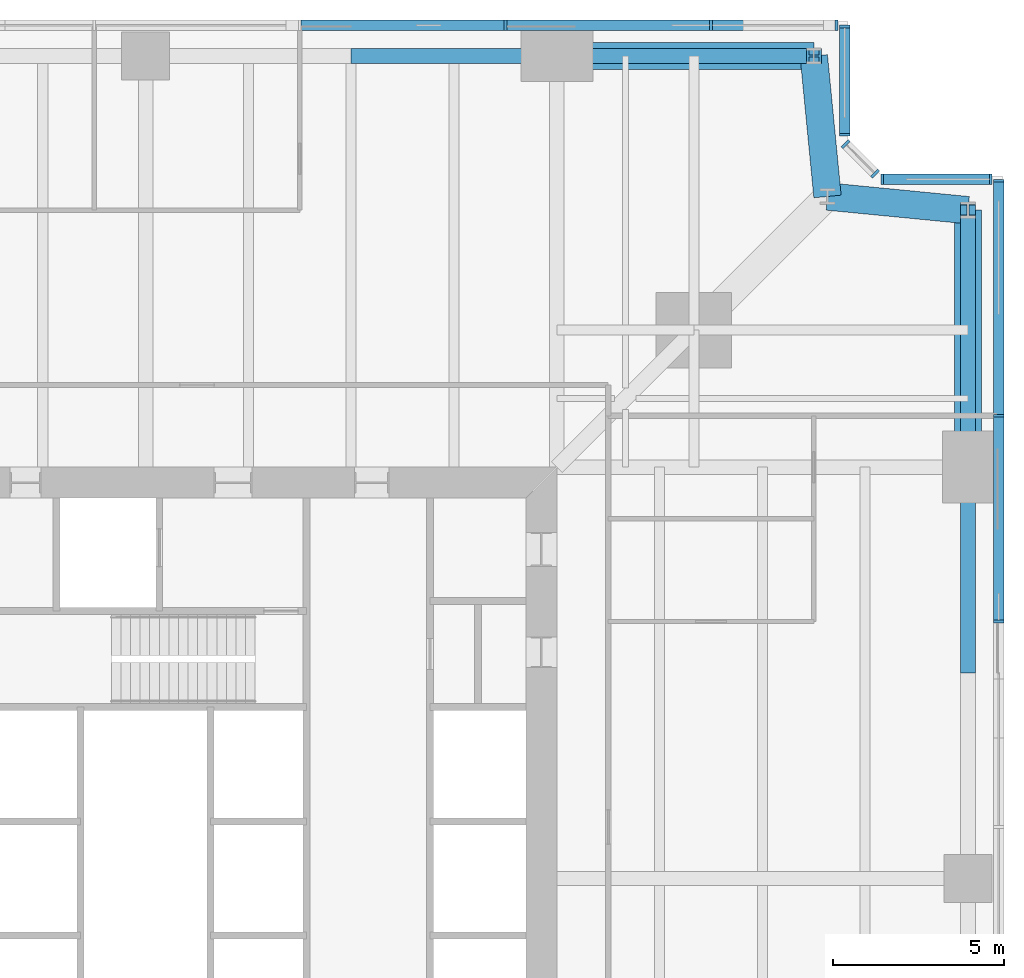
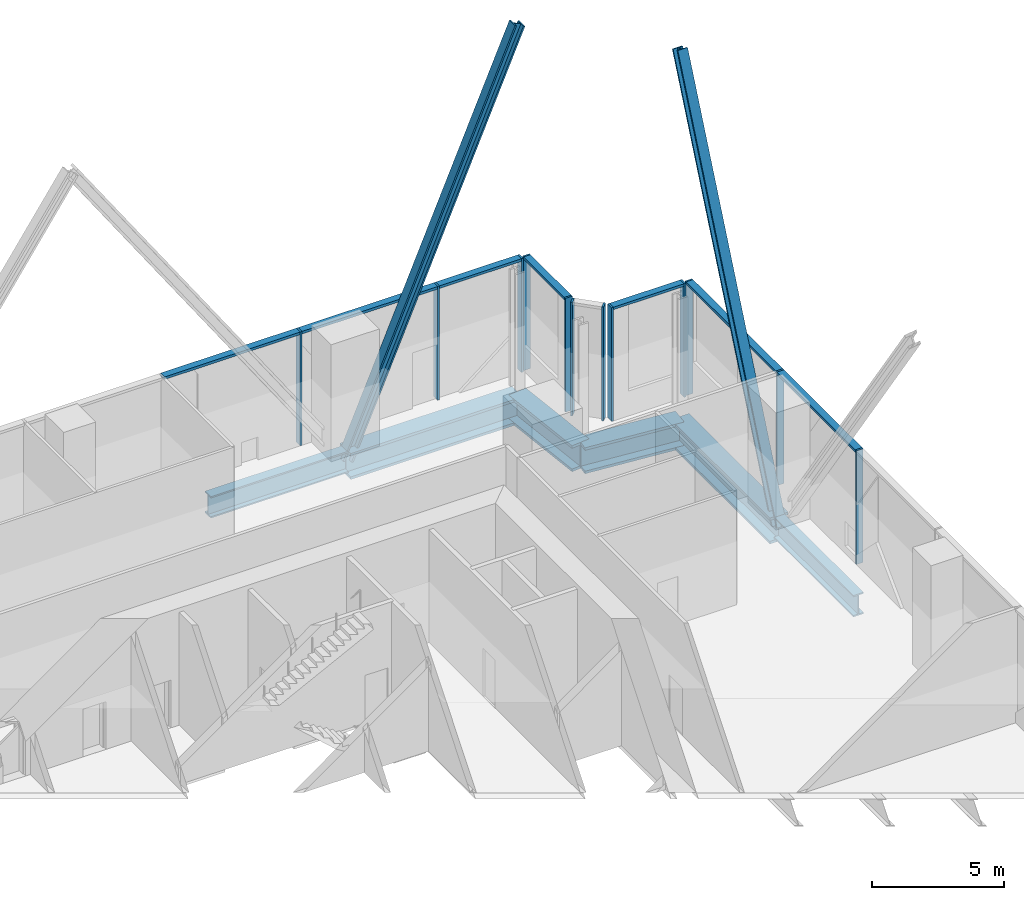
# One storey, part 5 of 13: 21 members, 6 beams, 5 elements without a shape of their own.
"""IFC4 building model written with IfcOpenShell, lengths in metres."""

import ifcopenshell
import ifcopenshell.guid

model = None  # the IFC model being written
_history = None  # IfcOwnerHistory: only IFC2X3 demands one
_inside = {}  # id of a spatial element -> (the spatial element, [elements in it])
_under = {}  # id of a project, library or spatial element -> (it, [spatial elements below it])
_declared = {}  # id of a project -> (the project, [libraries it declares])
_typed = {}  # id of a type object -> (the type object, [elements of that type])
_made_of = {}  # id of a material, layer set ... -> (it, [elements and type objects made of it])


def new_model(schema):
    """Start an empty IFC model of exactly this schema.

    Asked for "IFC4X3", IfcOpenShell would pick the latest addendum, in which some entities
    have other attributes; the version numbers below select the first issue.
    IFC2X3 requires an IfcOwnerHistory on every rooted entity: one is made here for all.
    """
    global model, _history
    if schema == "IFC4X3":
        model = ifcopenshell.file(schema_version=(4, 3, 0, 0))
    else:
        model = ifcopenshell.file(schema=schema)
    _inside.clear()
    _under.clear()
    _declared.clear()
    _typed.clear()
    _made_of.clear()
    _history = None
    if model.schema == "IFC2X3":
        org = make("IfcOrganization", Name="unknown")
        user = make(
            "IfcPersonAndOrganization",
            ThePerson=make("IfcPerson", FamilyName="unknown"),
            TheOrganization=org,
        )
        app = make(
            "IfcApplication",
            ApplicationDeveloper=org,
            Version="unknown",
            ApplicationFullName="unknown",
            ApplicationIdentifier="unknown",
        )
        _history = make(
            "IfcOwnerHistory",
            OwningUser=user,
            OwningApplication=app,
            ChangeAction="ADDED",
            CreationDate=0,
        )
    return model


def make(cls, **values):
    """One entity of the class cls with the attributes given. An attribute that is None is left unset."""
    return model.create_entity(
        cls, **{name: value for name, value in values.items() if value is not None}
    )


def rooted(cls, **values):
    """An entity with a GlobalId (a new one), such as an element, a storey or a relation."""
    return make(cls, GlobalId=ifcopenshell.guid.new(), OwnerHistory=_history, **values)


def si_unit(unit_type, name, prefix=None):
    """IfcSIUnit, for example si_unit("LENGTHUNIT", "METRE", prefix="MILLI")."""
    return make("IfcSIUnit", UnitType=unit_type, Prefix=prefix, Name=name)


def assignment(units):
    """IfcUnitAssignment: the units of a project."""
    return None if units is None else make("IfcUnitAssignment", Units=units)


def point(xyz):
    """IfcCartesianPoint."""
    return None if xyz is None else make("IfcCartesianPoint", Coordinates=xyz)


def direction(xyz):
    """IfcDirection."""
    return None if xyz is None else make("IfcDirection", DirectionRatios=xyz)


def frame(location, z_axis=None, x_axis=None):
    """IfcAxis2Placement3D, a coordinate frame: its origin and axes. An axis left out is left unset."""
    return make(
        "IfcAxis2Placement3D",
        Location=point(location),
        Axis=direction(z_axis),
        RefDirection=direction(x_axis),
    )


def frame_2d(location, x_axis=None):
    """IfcAxis2Placement2D, a coordinate frame in the plane: its origin and x axis."""
    return make(
        "IfcAxis2Placement2D", Location=point(location), RefDirection=direction(x_axis)
    )


def origin():
    """The frame at (0, 0, 0) with its axes left unset."""
    return frame((0.0, 0.0, 0.0))


def origin_2d():
    """The frame at (0, 0) in the plane with its x axis left unset."""
    return frame_2d((0.0, 0.0))


def place(relative_to, where):
    """IfcLocalPlacement: puts the frame where relative to a parent placement (None: the world)."""
    return make(
        "IfcLocalPlacement", PlacementRelTo=relative_to, RelativePlacement=where
    )


def context(
    kind, dimensions, precision=None, world=None, true_north=None, identifier=None
):
    """IfcGeometricRepresentationContext, for example the 3D "Model" context."""
    return make(
        "IfcGeometricRepresentationContext",
        ContextIdentifier=identifier,
        ContextType=kind,
        CoordinateSpaceDimension=dimensions,
        Precision=precision,
        WorldCoordinateSystem=world,
        TrueNorth=true_north,
    )


def subcontext(parent, identifier, kind, view, scale=None):
    """IfcGeometricRepresentationSubContext, for example "Body" below "Model"."""
    return make(
        "IfcGeometricRepresentationSubContext",
        ContextIdentifier=identifier,
        ContextType=kind,
        ParentContext=parent,
        TargetScale=scale,
        TargetView=view,
    )


def project(units=None, contexts=None):
    """IfcProject with its units and contexts."""
    return rooted(
        "IfcProject",
        Name="project",
        RepresentationContexts=contexts,
        UnitsInContext=assignment(units),
    )


def spatial(cls, under=None, at=None, **own):
    """A site, building, storey or space (cls), placed at a placement, below another one or the project."""
    s = rooted(cls, ObjectPlacement=at, **own)
    if under is not None:
        _under.setdefault(under.id(), (under, []))[1].append(s)
    return s


def profile(cls, at=None, kind="AREA", **sizes):
    """A parametric profile (cls). Its sizes go by their IFC names, for example OverallWidth=200.0."""
    return make(cls, ProfileType=kind, Position=at, **sizes)


def rectangle(**sizes):
    """IfcRectangleProfileDef."""
    return profile("IfcRectangleProfileDef", **sizes)


def i_section(**sizes):
    """IfcIShapeProfileDef."""
    return profile("IfcIShapeProfileDef", **sizes)


def extrude(swept, where, along, depth):
    """IfcExtrudedAreaSolid: the profile swept, set in the frame where, extruded along a direction by depth."""
    return make(
        "IfcExtrudedAreaSolid",
        SweptArea=swept,
        Position=where,
        ExtrudedDirection=direction(along),
        Depth=depth,
    )


def shape(context_of_items, identifier, shape_type, items):
    """IfcShapeRepresentation: the items that make up one representation, for example the "Body"."""
    return make(
        "IfcShapeRepresentation",
        ContextOfItems=context_of_items,
        RepresentationIdentifier=identifier,
        RepresentationType=shape_type,
        Items=items,
    )


def material(Name=None, Category=None):
    """IfcMaterial."""
    return make("IfcMaterial", Name=Name, Category=Category)


def material_profile(
    of_material, cross_section, Name=None, Category=None, Priority=None
):
    """IfcMaterialProfile: a cross section and its material."""
    return make(
        "IfcMaterialProfile",
        Name=Name,
        Material=of_material,
        Profile=cross_section,
        Priority=Priority,
        Category=Category,
    )


def profile_set(profiles, Name=None, composite=None):
    """IfcMaterialProfileSet."""
    return make(
        "IfcMaterialProfileSet",
        Name=Name,
        MaterialProfiles=profiles,
        CompositeProfile=composite,
    )


def made_of(thing, what):
    """Note that an element or type object is made of a material, layer set ...; save() writes the relation."""
    if what is not None:
        _made_of.setdefault(what.id(), (what, []))[1].append(thing)
    return thing


def type_object(cls, material=None, **own):
    """A type object (cls), such as IfcWallType, which elements share."""
    return made_of(rooted(cls, **own), material)


def element(
    cls,
    number,
    at=None,
    inside=None,
    cuts=None,
    type_object=None,
    material=None,
    context=None,
    identifier="Body",
    shape_type=None,
    held_by="IfcProductDefinitionShape",
    body=None,
    shapes=None,
    **own,
):
    """One element of the class cls, such as IfcWall. Its Tag is "e" and its number.

    at: its placement. inside: the storey or other place that contains it. cuts: it is an
    opening in that element (IfcRelVoidsElement). A single representation is given by context,
    identifier, shape_type and body (its items); several are given by shapes. held_by: the class
    of the entity that holds the representations. save() writes the other relations.
    """
    e = rooted(cls, Tag="e%d" % number, ObjectPlacement=at, **own)
    if body is not None:
        shapes = [shape(context, identifier, shape_type, body)]
    if shapes is not None:
        e.Representation = make(held_by, Representations=shapes)
    if inside is not None:
        _inside.setdefault(inside.id(), (inside, []))[1].append(e)
    if cuts is not None:
        rooted(
            "IfcRelVoidsElement", RelatingBuildingElement=cuts, RelatedOpeningElement=e
        )
    if type_object is not None:
        _typed.setdefault(type_object.id(), (type_object, []))[1].append(e)
    return made_of(e, material)


def aggregate(whole, parts):
    """IfcRelAggregates: a whole, such as a stair, and the parts it consists of."""
    return rooted("IfcRelAggregates", RelatingObject=whole, RelatedObjects=parts)


def save(model, path):
    """Write the relations noted so far, then the file.

    IfcRelAggregates (storeys below a building ...), IfcRelContainedInSpatialStructure (elements
    in a storey), IfcRelDefinesByType, IfcRelAssociatesMaterial and IfcRelDeclares: one each for
    every whole, place, type object, material and project.
    """
    for whole, parts in _under.values():
        aggregate(whole, parts)
    for where, things in _inside.values():
        rooted(
            "IfcRelContainedInSpatialStructure",
            RelatedElements=things,
            RelatingStructure=where,
        )
    for kind, things in _typed.values():
        rooted("IfcRelDefinesByType", RelatedObjects=things, RelatingType=kind)
    for what, things in _made_of.values():
        rooted("IfcRelAssociatesMaterial", RelatedObjects=things, RelatingMaterial=what)
    for by, libraries in _declared.values():
        rooted("IfcRelDeclares", RelatingContext=by, RelatedDefinitions=libraries)
    model.write(path)


model = new_model("IFC4")

# Units and contexts
model_context = context("Model", 3, precision=1e-05, world=origin(), true_north=direction((0.0, 1.0)))
body_context = subcontext(model_context, "Body", "Model", "MODEL_VIEW")
ifc_project = project(units=[si_unit("LENGTHUNIT", "METRE"), si_unit("AREAUNIT", "SQUARE_METRE"), si_unit("VOLUMEUNIT", "CUBIC_METRE"), si_unit("PLANEANGLEUNIT", "RADIAN"), si_unit("MASSUNIT", "GRAM", prefix="KILO")], contexts=[model_context])

# Site, building, storey
site_placement = place(None, origin())
site = spatial("IfcSite", under=ifc_project, at=site_placement, CompositionType="ELEMENT")
building_placement = place(site_placement, origin())
building = spatial("IfcBuilding", under=site, at=building_placement, Name="Fenwick Lantern Interchange", CompositionType="ELEMENT")
storey_placement = place(building_placement, frame((0.0, 0.0, 97.0)))
storey = spatial("IfcBuildingStorey", under=building, at=storey_placement, Name="L22", CompositionType="ELEMENT", Elevation=97.0)

# Members
ifc_material_1 = material(Name="Steel ASTM A992 Grade 50", Category="steel")
ifc_material_profile_1 = material_profile(ifc_material_1, i_section(OverallWidth=0.424072265625, OverallDepth=0.47509765625, WebThickness=0.0478515625, FlangeThickness=0.0771484375, at=origin_2d()), Name="W14X426")
ifc_profile_set_1 = profile_set([ifc_material_profile_1], Name="Steel ASTM A992 Grade 50")
member_type_1 = type_object("IfcMemberType", Name="FACADE BRACE W14X426", PredefinedType="BRACE", material=ifc_profile_set_1)
for number, where, z_axis, x_axis, name in (
    (1, (49.0, 37.0, -0.696533203125), (0.0, 0.394095795697, 0.919069368336), (-1.0, 0.0, 0.0), "L22/FB/E/BE"),
    (2, (37.0, 49.0, -0.696533203125), (0.394095795697, 0.0, 0.919069368336), (0.0, 1.0, 0.0), "L22/FB/N/AE"),
):
    element("IfcMember", number, at=place(storey_placement, frame(where, z_axis=z_axis, x_axis=x_axis)), inside=storey, type_object=member_type_1, Name=name, PredefinedType="BRACE", context=body_context, shape_type="SweptSolid", body=[
        extrude(i_section(OverallWidth=0.424072265625, OverallDepth=0.47509765625, WebThickness=0.0478515625, FlangeThickness=0.0771484375, at=origin_2d()), origin(), (0.0, 0.0, 1.0), 19.031005859375),
    ])

# Beams
ifc_material_2 = material(Name="Steel ASTM A572 Grade 42", Category="steel")
ifc_material_profile_2 = material_profile(ifc_material_2, i_section(OverallWidth=0.800048828125, OverallDepth=1.199951171875, WebThickness=0.06005859375, FlangeThickness=0.1201171875, at=origin_2d()), Name="BU1200X800")
ifc_profile_set_2 = profile_set([ifc_material_profile_2], Name="Steel ASTM A572 Grade 42")
beam_type_1 = type_object("IfcBeamType", Name="MOMENT-CONNECTED TRANSFER GIRDER BU1200X800", PredefinedType="BEAM", material=ifc_profile_set_2)
beam_1_placement = place(storey_placement, frame((49.0, 37.0, -0.800048828125), z_axis=(0.0, 1.0, 0.0), x_axis=(-1.0, 0.0, 0.0)))
element("IfcBeam", 3, at=beam_1_placement, inside=storey, type_object=beam_type_1, Name="L22/FR/E/EB6", PredefinedType="BEAM", context=body_context, shape_type="SweptSolid", body=[
    extrude(i_section(OverallWidth=0.800048828125, OverallDepth=1.199951171875, WebThickness=0.06005859375, FlangeThickness=0.1201171875, at=origin_2d()), origin(), (0.0, 0.0, 1.0), 7.5),
])
for number, where, z_axis, x_axis, name in (
    (4, (49.0, 44.5, -0.800048828125), (-0.995277148028, 0.097074191287, 0.0), (-0.097074191287, -0.995277148028, 0.0), "L22/FR/E/EBR1"),
    (5, (44.89990234375, 44.89990234375, -0.800048828125), (-0.097074191287, 0.995277148028, 0.0), (-0.995277148028, -0.097074191287, 0.0), "L22/FR/E/EBR2"),
):
    element("IfcBeam", number, at=place(storey_placement, frame(where, z_axis=z_axis, x_axis=x_axis)), inside=storey, type_object=beam_type_1, Name=name, PredefinedType="BEAM", context=body_context, shape_type="SweptSolid", body=[
        extrude(i_section(OverallWidth=0.800048828125, OverallDepth=1.199951171875, WebThickness=0.06005859375, FlangeThickness=0.1201171875, at=origin_2d()), origin(), (0.0, 0.0, 1.0), 4.11962890625),
    ])
beam_2_placement = place(storey_placement, frame((44.5, 49.0, -0.800048828125), z_axis=(-1.0, 0.0, 0.0), x_axis=(0.0, -1.0, 0.0)))
element("IfcBeam", 6, at=beam_2_placement, inside=storey, type_object=beam_type_1, Name="L22/FR/N/EB1", PredefinedType="BEAM", context=body_context, shape_type="SweptSolid", body=[
    extrude(i_section(OverallWidth=0.800048828125, OverallDepth=1.199951171875, WebThickness=0.06005859375, FlangeThickness=0.1201171875, at=origin_2d()), origin(), (0.0, 0.0, 1.0), 7.5),
])

# Curtain wall, members
ifc_material_3 = material(Name="Aluminium curtain wall frame", Category="aluminium")
curtain_wall_type = type_object("IfcCurtainWallType", Name="SKY LOBBY GLAZING", PredefinedType="USERDEFINED", material=ifc_material_3)
curtain_wall_1_placement = place(storey_placement, origin())
curtain_wall_1 = element("IfcCurtainWall", 7, at=curtain_wall_1_placement, inside=storey, type_object=curtain_wall_type, Name="Sky lobby glazing 05", ObjectType="SKY LOBBY GLAZING", PredefinedType="USERDEFINED")
ifc_material_4 = material(Name="Aluminium extrusion", Category="aluminium")
ifc_material_profile_3 = material_profile(ifc_material_4, rectangle(XDim=0.300048828125, YDim=0.080078125, at=origin_2d()), Name="SKY LOBBY GLAZING MULLION 80 X 300")
ifc_profile_set_3 = profile_set([ifc_material_profile_3], Name="Aluminium extrusion")
member_type_2 = type_object("IfcMemberType", Name="SKY LOBBY GLAZING MULLION 80 X 300", PredefinedType="MULLION", material=ifc_profile_set_3)
member_1_placement = place(storey_placement, frame((49.89990234375, 32.5, 0.0), z_axis=(0.0, 0.0, 1.0), x_axis=(-1.0, 0.0, 0.0)))
member_1 = element("IfcMember", 8, at=member_1_placement, type_object=member_type_2, Name="L22/CW/05/M05", PredefinedType="MULLION", context=body_context, shape_type="SweptSolid", body=[
    extrude(rectangle(XDim=0.300048828125, YDim=0.080078125, at=origin_2d()), origin(), (0.0, 0.0, 1.0), 5.25),
])
member_2_placement = place(storey_placement, frame((49.89990234375, 38.5, 0.0), z_axis=(0.0, 0.0, 1.0), x_axis=(-1.0, 0.0, 0.0)))
member_2 = element("IfcMember", 9, at=member_2_placement, type_object=member_type_2, Name="L22/CW/05/M06", PredefinedType="MULLION", context=body_context, shape_type="SweptSolid", body=[
    extrude(rectangle(XDim=0.300048828125, YDim=0.080078125, at=origin_2d()), origin(), (0.0, 0.0, 1.0), 5.25),
])
member_3_placement = place(storey_placement, frame((49.89990234375, 45.360107421875, 0.0), z_axis=(0.0, 0.0, 1.0), x_axis=(-1.0, 0.0, 0.0)))
member_3 = element("IfcMember", 10, at=member_3_placement, type_object=member_type_2, Name="L22/CW/05/M07", PredefinedType="MULLION", context=body_context, shape_type="SweptSolid", body=[
    extrude(rectangle(XDim=0.300048828125, YDim=0.080078125, at=origin_2d()), origin(), (0.0, 0.0, 1.0), 5.25),
])

curtain_wall_2_placement = place(storey_placement, origin())
curtain_wall_2 = element("IfcCurtainWall", 11, at=curtain_wall_2_placement, inside=storey, type_object=curtain_wall_type, Name="Sky lobby glazing 06", ObjectType="SKY LOBBY GLAZING", PredefinedType="USERDEFINED")
member_4_placement = place(storey_placement, frame((49.659912109375, 45.39990234375, 0.0), z_axis=(0.0, 0.0, 1.0), x_axis=(0.0, -1.0, 0.0)))
member_4 = element("IfcMember", 12, at=member_4_placement, type_object=member_type_2, Name="L22/CW/06/M00", PredefinedType="MULLION", context=body_context, shape_type="SweptSolid", body=[
    extrude(rectangle(XDim=0.300048828125, YDim=0.080078125, at=origin_2d()), origin(), (0.0, 0.0, 1.0), 5.25),
])
member_5_placement = place(storey_placement, frame((46.49853515625, 45.39990234375, 0.0), z_axis=(0.0, 0.0, 1.0), x_axis=(0.0, -1.0, 0.0)))
member_5 = element("IfcMember", 13, at=member_5_placement, type_object=member_type_2, Name="L22/CW/06/M01", PredefinedType="MULLION", context=body_context, shape_type="SweptSolid", body=[
    extrude(rectangle(XDim=0.300048828125, YDim=0.080078125, at=origin_2d()), origin(), (0.0, 0.0, 1.0), 5.25),
])

curtain_wall_3_placement = place(storey_placement, origin())
curtain_wall_3 = element("IfcCurtainWall", 14, at=curtain_wall_3_placement, inside=storey, type_object=curtain_wall_type, Name="Sky lobby glazing 07", ObjectType="SKY LOBBY GLAZING", PredefinedType="USERDEFINED")
member_6_placement = place(storey_placement, frame((46.288818359375, 45.56982421875, 0.0), z_axis=(0.0, 0.0, 1.0), x_axis=(-0.707106781187, -0.707106781187, 0.0)))
member_6 = element("IfcMember", 15, at=member_6_placement, type_object=member_type_2, Name="L22/CW/07/M00", PredefinedType="MULLION", context=body_context, shape_type="SweptSolid", body=[
    extrude(rectangle(XDim=0.300048828125, YDim=0.080078125, at=origin_2d()), origin(), (0.0, 0.0, 1.0), 5.25),
])
member_7_placement = place(storey_placement, frame((45.42822265625, 46.43017578125, 0.0), z_axis=(0.0, 0.0, 1.0), x_axis=(-0.707106781187, -0.707106781187, 0.0)))
member_7 = element("IfcMember", 16, at=member_7_placement, type_object=member_type_2, Name="L22/CW/07/M01", PredefinedType="MULLION", context=body_context, shape_type="SweptSolid", body=[
    extrude(rectangle(XDim=0.300048828125, YDim=0.080078125, at=origin_2d()), origin(), (0.0, 0.0, 1.0), 5.25),
])
aggregate(curtain_wall_3, [member_6, member_7])

curtain_wall_4_placement = place(storey_placement, origin())
curtain_wall_4 = element("IfcCurtainWall", 17, at=curtain_wall_4_placement, inside=storey, type_object=curtain_wall_type, Name="Sky lobby glazing 08", ObjectType="SKY LOBBY GLAZING", PredefinedType="USERDEFINED")
member_8_placement = place(storey_placement, frame((45.39990234375, 46.698486328125, 0.0), z_axis=(0.0, 0.0, 1.0), x_axis=(-1.0, 0.0, 0.0)))
member_8 = element("IfcMember", 18, at=member_8_placement, type_object=member_type_2, Name="L22/CW/08/M00", PredefinedType="MULLION", context=body_context, shape_type="SweptSolid", body=[
    extrude(rectangle(XDim=0.300048828125, YDim=0.080078125, at=origin_2d()), origin(), (0.0, 0.0, 1.0), 5.25),
])
member_9_placement = place(storey_placement, frame((45.39990234375, 49.860107421875, 0.0), z_axis=(0.0, 0.0, 1.0), x_axis=(-1.0, 0.0, 0.0)))
member_9 = element("IfcMember", 19, at=member_9_placement, type_object=member_type_2, Name="L22/CW/08/M01", PredefinedType="MULLION", context=body_context, shape_type="SweptSolid", body=[
    extrude(rectangle(XDim=0.300048828125, YDim=0.080078125, at=origin_2d()), origin(), (0.0, 0.0, 1.0), 5.25),
])

curtain_wall_5_placement = place(storey_placement, origin())
curtain_wall_5 = element("IfcCurtainWall", 20, at=curtain_wall_5_placement, inside=storey, type_object=curtain_wall_type, Name="Sky lobby glazing 09", ObjectType="SKY LOBBY GLAZING", PredefinedType="USERDEFINED")
member_10_placement = place(storey_placement, frame((45.159912109375, 49.89990234375, 0.0), z_axis=(0.0, 0.0, 1.0), x_axis=(0.0, -1.0, 0.0)))
member_10 = element("IfcMember", 21, at=member_10_placement, type_object=member_type_2, Name="L22/CW/09/M00", PredefinedType="MULLION", context=body_context, shape_type="SweptSolid", body=[
    extrude(rectangle(XDim=0.300048828125, YDim=0.080078125, at=origin_2d()), origin(), (0.0, 0.0, 1.0), 5.25),
])
member_11_placement = place(storey_placement, frame((41.5, 49.89990234375, 0.0), z_axis=(0.0, 0.0, 1.0), x_axis=(0.0, -1.0, 0.0)))
member_11 = element("IfcMember", 22, at=member_11_placement, type_object=member_type_2, Name="L22/CW/09/M01", PredefinedType="MULLION", context=body_context, shape_type="SweptSolid", body=[
    extrude(rectangle(XDim=0.300048828125, YDim=0.080078125, at=origin_2d()), origin(), (0.0, 0.0, 1.0), 5.25),
])
member_12_placement = place(storey_placement, frame((35.5, 49.89990234375, 0.0), z_axis=(0.0, 0.0, 1.0), x_axis=(0.0, -1.0, 0.0)))
member_12 = element("IfcMember", 23, at=member_12_placement, type_object=member_type_2, Name="L22/CW/09/M02", PredefinedType="MULLION", context=body_context, shape_type="SweptSolid", body=[
    extrude(rectangle(XDim=0.300048828125, YDim=0.080078125, at=origin_2d()), origin(), (0.0, 0.0, 1.0), 5.25),
])

# Member
ifc_material_profile_4 = material_profile(ifc_material_4, rectangle(XDim=0.300048828125, YDim=0.1201171875, at=origin_2d()), Name="SKY LOBBY GLAZING TRANSOM 120 X 300")
ifc_profile_set_4 = profile_set([ifc_material_profile_4], Name="Aluminium extrusion")
member_type_3 = type_object("IfcMemberType", Name="SKY LOBBY GLAZING TRANSOM 120 X 300", PredefinedType="MULLION", material=ifc_profile_set_4)
member_13_placement = place(storey_placement, frame((49.89990234375, 32.5400390625, 5.18994140625), z_axis=(0.0, 1.0, 0.0), x_axis=(-1.0, 0.0, 0.0)))
member_13 = element("IfcMember", 24, at=member_13_placement, type_object=member_type_3, Name="L22/CW/05/T05", PredefinedType="MULLION", context=body_context, shape_type="SweptSolid", body=[
    extrude(rectangle(XDim=0.300048828125, YDim=0.1201171875, at=origin_2d()), origin(), (0.0, 0.0, 1.0), 5.919921875),
])

member_14_placement = place(storey_placement, frame((49.89990234375, 38.5400390625, 5.18994140625), z_axis=(0.0, 1.0, 0.0), x_axis=(-1.0, 0.0, 0.0)))
member_14 = element("IfcMember", 25, at=member_14_placement, type_object=member_type_3, Name="L22/CW/05/T06", PredefinedType="MULLION", context=body_context, shape_type="SweptSolid", body=[
    extrude(rectangle(XDim=0.300048828125, YDim=0.1201171875, at=origin_2d()), origin(), (0.0, 0.0, 1.0), 6.780029296875),
])

aggregate(curtain_wall_1, [member_1, member_2, member_3, member_13, member_14])

member_15_placement = place(storey_placement, frame((49.6201171875, 45.39990234375, 5.18994140625), z_axis=(-1.0, 0.0, 0.0), x_axis=(0.0, -1.0, 0.0)))
member_15 = element("IfcMember", 26, at=member_15_placement, type_object=member_type_3, Name="L22/CW/06/T00", PredefinedType="MULLION", context=body_context, shape_type="SweptSolid", body=[
    extrude(rectangle(XDim=0.300048828125, YDim=0.1201171875, at=origin_2d()), origin(), (0.0, 0.0, 1.0), 3.08154296875),
])

aggregate(curtain_wall_2, [member_4, member_5, member_15])

member_16_placement = place(storey_placement, frame((45.39990234375, 46.738525390625, 5.18994140625), z_axis=(0.0, 1.0, 0.0), x_axis=(-1.0, 0.0, 0.0)))
member_16 = element("IfcMember", 27, at=member_16_placement, type_object=member_type_3, Name="L22/CW/08/T00", PredefinedType="MULLION", context=body_context, shape_type="SweptSolid", body=[
    extrude(rectangle(XDim=0.300048828125, YDim=0.1201171875, at=origin_2d()), origin(), (0.0, 0.0, 1.0), 3.08154296875),
])

aggregate(curtain_wall_4, [member_8, member_9, member_16])

member_17_placement = place(storey_placement, frame((45.1201171875, 49.89990234375, 5.18994140625), z_axis=(-1.0, 0.0, 0.0), x_axis=(0.0, -1.0, 0.0)))
member_17 = element("IfcMember", 28, at=member_17_placement, type_object=member_type_3, Name="L22/CW/09/T00", PredefinedType="MULLION", context=body_context, shape_type="SweptSolid", body=[
    extrude(rectangle(XDim=0.300048828125, YDim=0.1201171875, at=origin_2d()), origin(), (0.0, 0.0, 1.0), 3.580078125),
])

member_18_placement = place(storey_placement, frame((41.4599609375, 49.89990234375, 5.18994140625), z_axis=(-1.0, 0.0, 0.0), x_axis=(0.0, -1.0, 0.0)))
member_18 = element("IfcMember", 29, at=member_18_placement, type_object=member_type_3, Name="L22/CW/09/T01", PredefinedType="MULLION", context=body_context, shape_type="SweptSolid", body=[
    extrude(rectangle(XDim=0.300048828125, YDim=0.1201171875, at=origin_2d()), origin(), (0.0, 0.0, 1.0), 5.919921875),
])

member_19_placement = place(storey_placement, frame((35.4599609375, 49.89990234375, 5.18994140625), z_axis=(-1.0, 0.0, 0.0), x_axis=(0.0, -1.0, 0.0)))
member_19 = element("IfcMember", 30, at=member_19_placement, type_object=member_type_3, Name="L22/CW/09/T02", PredefinedType="MULLION", context=body_context, shape_type="SweptSolid", body=[
    extrude(rectangle(XDim=0.300048828125, YDim=0.1201171875, at=origin_2d()), origin(), (0.0, 0.0, 1.0), 5.919921875),
])

aggregate(curtain_wall_5, [member_10, member_11, member_12, member_17, member_18, member_19])

# Beams
ifc_material_profile_5 = material_profile(ifc_material_1, i_section(OverallWidth=0.434326171875, OverallDepth=0.9931640625, WebThickness=0.0380859375, FlangeThickness=0.06396484375, at=origin_2d()), Name="W36X487")
ifc_profile_set_5 = profile_set([ifc_material_profile_5], Name="Steel ASTM A992 Grade 50")
beam_type_2 = type_object("IfcBeamType", Name="TRUSS CHORD EDGE BEAM W36X487", PredefinedType="BEAM", material=ifc_profile_set_5)
for number, where, z_axis, x_axis, name in (
    (31, (49.0, 31.0, -0.696533203125), (0.0, 1.0, 0.0), (-1.0, 0.0, 0.0), "L22/FR/E/EB5"),
    (32, (37.0, 49.0, -0.696533203125), (-1.0, 0.0, 0.0), (0.0, -1.0, 0.0), "L22/FR/N/EB2"),
):
    element("IfcBeam", number, at=place(storey_placement, frame(where, z_axis=z_axis, x_axis=x_axis)), inside=storey, type_object=beam_type_2, Name=name, PredefinedType="BEAM", context=body_context, shape_type="SweptSolid", body=[
        extrude(i_section(OverallWidth=0.434326171875, OverallDepth=0.9931640625, WebThickness=0.0380859375, FlangeThickness=0.06396484375, at=origin_2d()), origin(), (0.0, 0.0, 1.0), 6.0),
    ])

save(model, "model.ifc")
